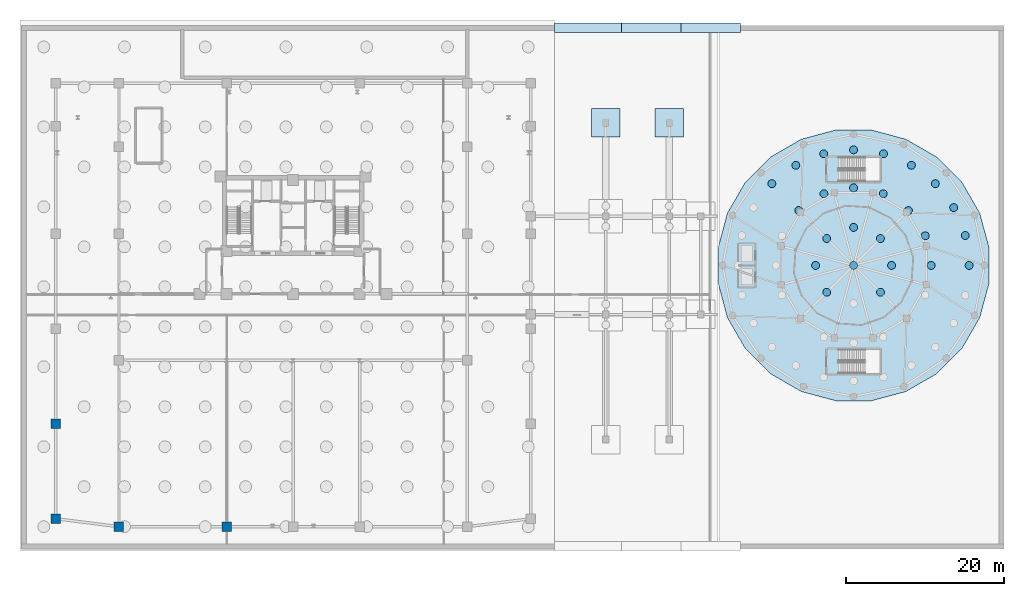
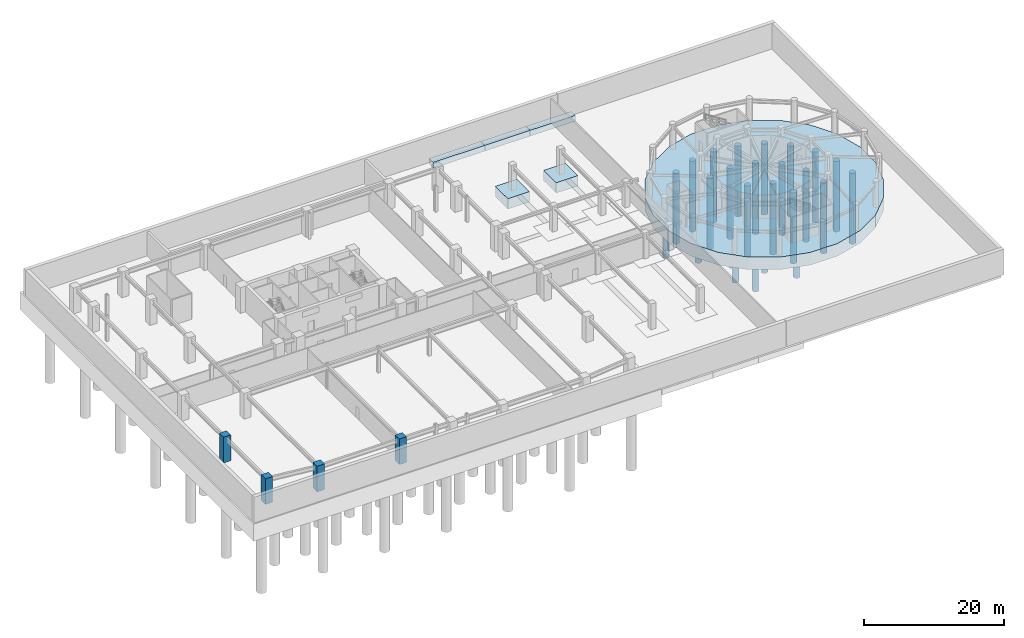
# One storey, part 2 of 15: 25 piles, 6 footings, 4 columns.
"""IFC4 building model written with IfcOpenShell, lengths in metres."""

from ifc_helpers import new_model, si_unit, derived_unit, direction, frame, origin, origin_2d, place, context, subcontext, project, spatial, polyline, rectangle, circle, outline, extrude, source, transform, mapped, material, material_profile, profile_set, type_object, element, save


model = new_model("IFC4")

# Units and contexts
model_context = context("Model", 3, precision=1e-05, world=origin(), true_north=direction((0.0, 1.0)))
body_context = subcontext(model_context, "Body", "Model", "MODEL_VIEW")
ifc_project = project(units=[si_unit("LENGTHUNIT", "METRE"), si_unit("AREAUNIT", "SQUARE_METRE"), si_unit("VOLUMEUNIT", "CUBIC_METRE"), si_unit("PLANEANGLEUNIT", "RADIAN"), si_unit("MASSUNIT", "GRAM", prefix="KILO"), derived_unit("THERMALTRANSMITTANCEUNIT", [(si_unit("POWERUNIT", "WATT"), 1), (si_unit("LENGTHUNIT", "METRE"), -2), (si_unit("THERMODYNAMICTEMPERATUREUNIT", "KELVIN"), -1)])], contexts=[model_context])

# Site, building, storey
site_placement = place(None, origin())
site = spatial("IfcSite", under=ifc_project, at=site_placement, CompositionType="ELEMENT")
building_placement = place(site_placement, origin())
building = spatial("IfcBuilding", under=site, at=building_placement, Name="Korsvarv Bourse and Concert Hall", CompositionType="ELEMENT")
storey_placement = place(building_placement, frame((0.0, 0.0, -9.0)))
storey = spatial("IfcBuildingStorey", under=building, at=storey_placement, Name="B02", CompositionType="ELEMENT", Elevation=-9.0)

# Footings
ifc_material_1 = material(Name="Concrete C50/60", Category="concrete")
footing_type_1 = type_object("IfcFootingType", Name="FT-RAFT-CH", PredefinedType="CAISSON_FOUNDATION", material=ifc_material_1)
footing_1_placement = place(storey_placement, frame((0.0, 0.0, -2.199951171875)))
element("IfcFooting", 1, at=footing_1_placement, inside=storey, type_object=footing_type_1, Name="Concert Hall Drum Piled Raft FR-2", PredefinedType="CAISSON_FOUNDATION", context=body_context, shape_type="SweptSolid", body=[
    extrude(outline(polyline([(123.90087890625, 38.25146484375), (122.735595703125, 42.6005859375), (120.484130859375, 46.500244140625), (117.30029296875, 49.68408203125), (113.400634765625, 51.935546875), (109.051513671875, 53.100830078125), (104.548583984375, 53.100830078125), (100.19921875, 51.935546875), (96.2998046875, 49.68408203125), (93.115966796875, 46.500244140625), (90.864501953125, 42.6005859375), (89.69921875, 38.25146484375), (89.69921875, 33.74853515625), (90.864501953125, 29.3994140625), (93.115966796875, 25.499755859375), (96.2998046875, 22.31591796875), (100.19921875, 20.064453125), (104.548583984375, 18.899169921875), (109.051513671875, 18.899169921875), (113.400634765625, 20.064453125), (117.30029296875, 22.31591796875), (120.484130859375, 25.499755859375), (122.735595703125, 29.3994140625), (123.90087890625, 33.74853515625), (123.90087890625, 38.25146484375)])), origin(), (0.0, 0.0, 1.0), 2.199951171875),
])
ifc_material_2 = material(Name="Concrete C45/55", Category="concrete")
footing_type_2 = type_object("IfcFootingType", Name="FT-PAD-1", PredefinedType="PAD_FOOTING", material=ifc_material_2)
shared_shape_1 = source(origin(), body_context, "Body", "SweptSolid", [
    extrude(rectangle(XDim=3.60009765625, YDim=3.60009765625, at=origin_2d()), origin(), (0.0, 0.0, 1.0), 1.800048828125),
])
for number, where, z_axis, x_axis, name in (
    (2, (75.5, 54.0, -1.7998046875), (0.0, 0.0, 1.0), (1.0, 0.0, 0.0), "Sub-plaza foundation FP-1 at (75.5, 54.0)"),
    (3, (83.5, 54.0, -1.7998046875), (0.0, 0.0, 1.0), (1.0, 0.0, 0.0), "Sub-plaza foundation FP-1 at (83.5, 54.0)"),
):
    element("IfcFooting", number, at=place(storey_placement, frame(where, z_axis=z_axis, x_axis=x_axis)), inside=storey, type_object=footing_type_2, Name=name, PredefinedType="PAD_FOOTING", context=body_context, shape_type="MappedRepresentation", body=[
        mapped(shared_shape_1, transform((0.0, 0.0, 0.0), scale=1.0)),
    ])
ifc_material_profile_1 = material_profile(ifc_material_2, rectangle(XDim=1.199951171875, YDim=1.0, at=origin_2d()), Name="SF 1200x1000")
ifc_profile_set_1 = profile_set([ifc_material_profile_1], Name="Concrete C45/55")
footing_type_3 = type_object("IfcFootingType", Name="FT-SF-1", PredefinedType="STRIP_FOOTING", material=ifc_profile_set_1)
shared_shape_2 = source(origin(), body_context, "Body", "SweptSolid", [
    extrude(rectangle(XDim=1.199951171875, YDim=1.0, at=origin_2d()), origin(), (0.0, 0.0, 1.0), 8.5),
])
footing_2_placement = place(storey_placement, frame((69.0, 66.0, -0.5), z_axis=(1.0, 0.0, 0.0), x_axis=(0.0, 1.0, 0.0)))
element("IfcFooting", 4, at=footing_2_placement, inside=storey, type_object=footing_type_3, Name="Basement retaining wall strip footing FT-SF-N1", PredefinedType="STRIP_FOOTING", context=body_context, shape_type="MappedRepresentation", body=[
    mapped(shared_shape_2, transform((0.0, 0.0, 0.0), scale=1.0)),
])
shared_shape_3 = source(origin(), body_context, "Body", "SweptSolid", [
    extrude(rectangle(XDim=1.199951171875, YDim=1.0, at=origin_2d()), origin(), (0.0, 0.0, 1.0), 7.5),
])
for number, where, z_axis, x_axis, name in (
    (5, (77.5, 66.0, -0.5), (1.0, 0.0, 0.0), (0.0, 1.0, 0.0), "Basement retaining wall strip footing FT-SF-N2"),
    (6, (85.0, 66.0, -0.5), (1.0, 0.0, 0.0), (0.0, 1.0, 0.0), "Basement retaining wall strip footing FT-SF-N3"),
):
    element("IfcFooting", number, at=place(storey_placement, frame(where, z_axis=z_axis, x_axis=x_axis)), inside=storey, type_object=footing_type_3, Name=name, PredefinedType="STRIP_FOOTING", context=body_context, shape_type="MappedRepresentation", body=[
        mapped(shared_shape_3, transform((0.0, 0.0, 0.0), scale=1.0)),
    ])

# Piles
ifc_material_profile_2 = material_profile(ifc_material_2, circle(Radius=0.5, at=origin_2d()), Name="PILE D1000")
ifc_profile_set_2 = profile_set([ifc_material_profile_2], Name="Concrete C45/55")
pile_type = type_object("IfcPileType", Name="PIL-1000", PredefinedType="BORED", material=ifc_profile_set_2)
shared_shape_4 = source(origin(), body_context, "Body", "SweptSolid", [
    extrude(circle(Radius=0.5, at=origin_2d()), origin(), (0.0, 0.0, 1.0), 12.39990234375),
])
for number, where, z_axis, x_axis, name in (
    (7, (106.800048828125, 36.0, -2.10009765625), (0.0, 0.0, -1.0), (1.0, 0.0, 0.0), "Concert Hall bored pile P2-001"),
    (8, (111.60009765625, 36.0, -2.10009765625), (0.0, 0.0, -1.0), (1.0, 0.0, 0.0), "Concert Hall bored pile P2-002"),
    (9, (110.194091796875, 39.39404296875, -2.10009765625), (0.0, 0.0, -1.0), (1.0, 0.0, 0.0), "Concert Hall bored pile P2-003"),
    (10, (106.800048828125, 40.800048828125, -2.10009765625), (0.0, 0.0, -1.0), (1.0, 0.0, 0.0), "Concert Hall bored pile P2-004"),
    (11, (103.406005859375, 39.39404296875, -2.10009765625), (0.0, 0.0, -1.0), (1.0, 0.0, 0.0), "Concert Hall bored pile P2-005"),
    (12, (102.0, 36.0, -2.10009765625), (0.0, 0.0, -1.0), (1.0, 0.0, 0.0), "Concert Hall bored pile P2-006"),
    (13, (103.406005859375, 32.60595703125, -2.10009765625), (0.0, 0.0, -1.0), (1.0, 0.0, 0.0), "Concert Hall bored pile P2-007"),
    (14, (110.194091796875, 32.60595703125, -2.10009765625), (0.0, 0.0, -1.0), (1.0, 0.0, 0.0), "Concert Hall bored pile P2-009"),
    (15, (116.60009765625, 36.0, -2.10009765625), (0.0, 0.0, -1.0), (1.0, 0.0, 0.0), "Concert Hall bored pile P2-010"),
    (16, (115.85400390625, 39.750244140625, -2.10009765625), (0.0, 0.0, -1.0), (1.0, 0.0, 0.0), "Concert Hall bored pile P2-011"),
    (17, (113.7294921875, 42.9296875, -2.10009765625), (0.0, 0.0, -1.0), (1.0, 0.0, 0.0), "Concert Hall bored pile P2-012"),
    (18, (110.55029296875, 45.053955078125, -2.10009765625), (0.0, 0.0, -1.0), (1.0, 0.0, 0.0), "Concert Hall bored pile P2-013"),
    (19, (106.800048828125, 45.800048828125, -2.10009765625), (0.0, 0.0, -1.0), (1.0, 0.0, 0.0), "Concert Hall bored pile P2-014"),
    (20, (103.0498046875, 45.053955078125, -2.10009765625), (0.0, 0.0, -1.0), (1.0, 0.0, 0.0), "Concert Hall bored pile P2-015"),
    (21, (99.870361328125, 42.9296875, -2.10009765625), (0.0, 0.0, -1.0), (1.0, 0.0, 0.0), "Concert Hall bored pile P2-016"),
    (22, (121.39990234375, 36.0, -2.10009765625), (0.0, 0.0, -1.0), (1.0, 0.0, 0.0), "Concert Hall bored pile P2-026"),
    (23, (120.902587890625, 39.77880859375, -2.10009765625), (0.0, 0.0, -1.0), (1.0, 0.0, 0.0), "Concert Hall bored pile P2-027"),
    (24, (119.444091796875, 43.300048828125, -2.10009765625), (0.0, 0.0, -1.0), (1.0, 0.0, 0.0), "Concert Hall bored pile P2-028"),
    (25, (117.123779296875, 46.32373046875, -2.10009765625), (0.0, 0.0, -1.0), (1.0, 0.0, 0.0), "Concert Hall bored pile P2-029"),
    (26, (114.10009765625, 48.64404296875, -2.10009765625), (0.0, 0.0, -1.0), (1.0, 0.0, 0.0), "Concert Hall bored pile P2-030"),
    (27, (110.578857421875, 50.1025390625, -2.10009765625), (0.0, 0.0, -1.0), (1.0, 0.0, 0.0), "Concert Hall bored pile P2-031"),
    (28, (106.800048828125, 50.60009765625, -2.10009765625), (0.0, 0.0, -1.0), (1.0, 0.0, 0.0), "Concert Hall bored pile P2-032"),
    (29, (103.021240234375, 50.1025390625, -2.10009765625), (0.0, 0.0, -1.0), (1.0, 0.0, 0.0), "Concert Hall bored pile P2-033"),
    (30, (99.5, 48.64404296875, -2.10009765625), (0.0, 0.0, -1.0), (1.0, 0.0, 0.0), "Concert Hall bored pile P2-034"),
    (31, (96.476318359375, 46.32373046875, -2.10009765625), (0.0, 0.0, -1.0), (1.0, 0.0, 0.0), "Concert Hall bored pile P2-035"),
):
    element("IfcPile", number, at=place(storey_placement, frame(where, z_axis=z_axis, x_axis=x_axis)), inside=storey, type_object=pile_type, Name=name, PredefinedType="BORED", context=body_context, shape_type="MappedRepresentation", body=[
        mapped(shared_shape_4, transform((0.0, 0.0, 0.0), scale=1.0)),
    ])

# Columns
ifc_material_3 = material(Name="Concrete C60/75", Category="concrete")
ifc_material_profile_3 = material_profile(ifc_material_3, rectangle(XDim=1.199951171875, YDim=1.199951171875, at=origin_2d()), Name="RC 1200x1200")
ifc_profile_set_3 = profile_set([ifc_material_profile_3], Name="Concrete C60/75")
column_type = type_object("IfcColumnType", Name="COL-RC1200", PredefinedType="COLUMN", material=ifc_profile_set_3)
shared_shape_5 = source(origin(), body_context, "Body", "SweptSolid", [
    extrude(rectangle(XDim=1.199951171875, YDim=1.199951171875, at=origin_2d()), origin(), (0.0, 0.0, 1.0), 4.5),
])
for number, where, z_axis, x_axis, name in (
    (32, (6.0, 4.0, 0.0), (0.0, 0.0, 1.0), (1.0, 0.0, 0.0), "B02 column C-02"),
    (33, (6.0, 16.0, 0.0), (0.0, 0.0, 1.0), (1.0, 0.0, 0.0), "B02 column C-02"),
    (34, (14.0, 3.0, 0.0), (0.0, 0.0, 1.0), (1.0, 0.0, 0.0), "B02 column C-02"),
    (35, (27.60009765625, 3.0, 0.0), (0.0, 0.0, 1.0), (1.0, 0.0, 0.0), "B02 column C-02"),
):
    element("IfcColumn", number, at=place(storey_placement, frame(where, z_axis=z_axis, x_axis=x_axis)), inside=storey, type_object=column_type, Name=name, PredefinedType="COLUMN", context=body_context, shape_type="MappedRepresentation", body=[
        mapped(shared_shape_5, transform((0.0, 0.0, 0.0), scale=1.0)),
    ])

save(model, "model.ifc")
